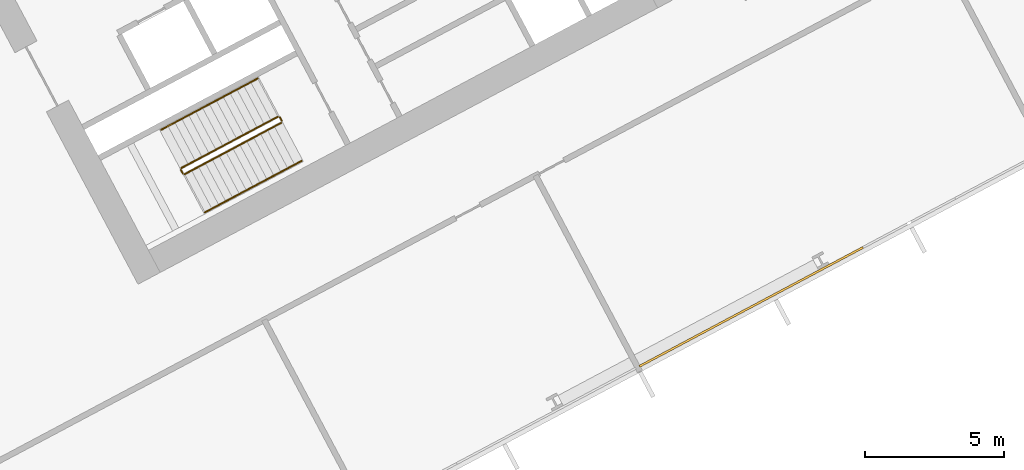
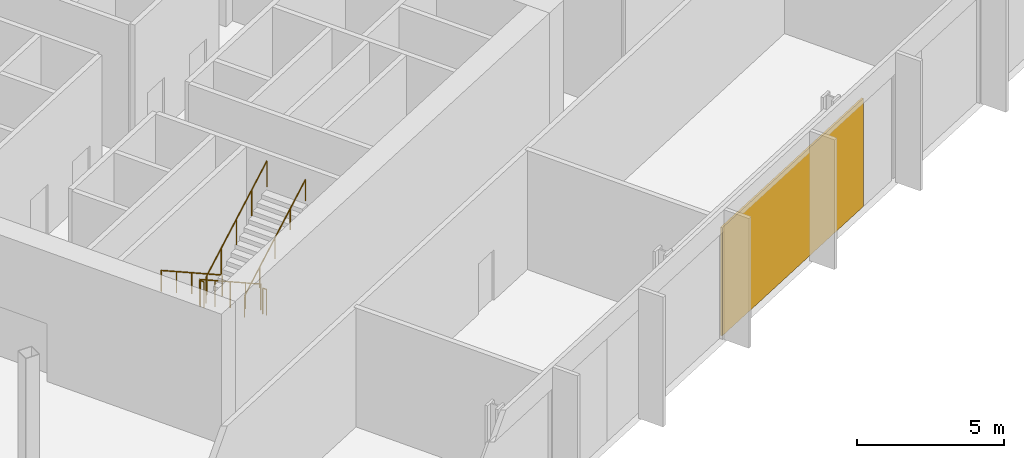
# One storey, part 27 of 31: 6 railings, 1 covering, 1 element without a shape of its own.
"""IFC4 building model written with IfcOpenShell, lengths in metres."""

import ifcopenshell
import ifcopenshell.guid

model = None  # the IFC model being written
_history = None  # IfcOwnerHistory: only IFC2X3 demands one
_inside = {}  # id of a spatial element -> (the spatial element, [elements in it])
_under = {}  # id of a project, library or spatial element -> (it, [spatial elements below it])
_declared = {}  # id of a project -> (the project, [libraries it declares])
_typed = {}  # id of a type object -> (the type object, [elements of that type])
_made_of = {}  # id of a material, layer set ... -> (it, [elements and type objects made of it])


def new_model(schema):
    """Start an empty IFC model of exactly this schema.

    Asked for "IFC4X3", IfcOpenShell would pick the latest addendum, in which some entities
    have other attributes; the version numbers below select the first issue.
    IFC2X3 requires an IfcOwnerHistory on every rooted entity: one is made here for all.
    """
    global model, _history
    if schema == "IFC4X3":
        model = ifcopenshell.file(schema_version=(4, 3, 0, 0))
    else:
        model = ifcopenshell.file(schema=schema)
    _inside.clear()
    _under.clear()
    _declared.clear()
    _typed.clear()
    _made_of.clear()
    _history = None
    if model.schema == "IFC2X3":
        org = make("IfcOrganization", Name="unknown")
        user = make(
            "IfcPersonAndOrganization",
            ThePerson=make("IfcPerson", FamilyName="unknown"),
            TheOrganization=org,
        )
        app = make(
            "IfcApplication",
            ApplicationDeveloper=org,
            Version="unknown",
            ApplicationFullName="unknown",
            ApplicationIdentifier="unknown",
        )
        _history = make(
            "IfcOwnerHistory",
            OwningUser=user,
            OwningApplication=app,
            ChangeAction="ADDED",
            CreationDate=0,
        )
    return model


def make(cls, **values):
    """One entity of the class cls with the attributes given. An attribute that is None is left unset."""
    return model.create_entity(
        cls, **{name: value for name, value in values.items() if value is not None}
    )


def rooted(cls, **values):
    """An entity with a GlobalId (a new one), such as an element, a storey or a relation."""
    return make(cls, GlobalId=ifcopenshell.guid.new(), OwnerHistory=_history, **values)


def si_unit(unit_type, name, prefix=None):
    """IfcSIUnit, for example si_unit("LENGTHUNIT", "METRE", prefix="MILLI")."""
    return make("IfcSIUnit", UnitType=unit_type, Prefix=prefix, Name=name)


def assignment(units):
    """IfcUnitAssignment: the units of a project."""
    return None if units is None else make("IfcUnitAssignment", Units=units)


def point(xyz):
    """IfcCartesianPoint."""
    return None if xyz is None else make("IfcCartesianPoint", Coordinates=xyz)


def direction(xyz):
    """IfcDirection."""
    return None if xyz is None else make("IfcDirection", DirectionRatios=xyz)


def frame(location, z_axis=None, x_axis=None):
    """IfcAxis2Placement3D, a coordinate frame: its origin and axes. An axis left out is left unset."""
    return make(
        "IfcAxis2Placement3D",
        Location=point(location),
        Axis=direction(z_axis),
        RefDirection=direction(x_axis),
    )


def frame_2d(location, x_axis=None):
    """IfcAxis2Placement2D, a coordinate frame in the plane: its origin and x axis."""
    return make(
        "IfcAxis2Placement2D", Location=point(location), RefDirection=direction(x_axis)
    )


def origin():
    """The frame at (0, 0, 0) with its axes left unset."""
    return frame((0.0, 0.0, 0.0))


def origin_2d():
    """The frame at (0, 0) in the plane with its x axis left unset."""
    return frame_2d((0.0, 0.0))


def place(relative_to, where):
    """IfcLocalPlacement: puts the frame where relative to a parent placement (None: the world)."""
    return make(
        "IfcLocalPlacement", PlacementRelTo=relative_to, RelativePlacement=where
    )


def context(
    kind, dimensions, precision=None, world=None, true_north=None, identifier=None
):
    """IfcGeometricRepresentationContext, for example the 3D "Model" context."""
    return make(
        "IfcGeometricRepresentationContext",
        ContextIdentifier=identifier,
        ContextType=kind,
        CoordinateSpaceDimension=dimensions,
        Precision=precision,
        WorldCoordinateSystem=world,
        TrueNorth=true_north,
    )


def subcontext(parent, identifier, kind, view, scale=None):
    """IfcGeometricRepresentationSubContext, for example "Body" below "Model"."""
    return make(
        "IfcGeometricRepresentationSubContext",
        ContextIdentifier=identifier,
        ContextType=kind,
        ParentContext=parent,
        TargetScale=scale,
        TargetView=view,
    )


def project(units=None, contexts=None):
    """IfcProject with its units and contexts."""
    return rooted(
        "IfcProject",
        Name="project",
        RepresentationContexts=contexts,
        UnitsInContext=assignment(units),
    )


def spatial(cls, under=None, at=None, **own):
    """A site, building, storey or space (cls), placed at a placement, below another one or the project."""
    s = rooted(cls, ObjectPlacement=at, **own)
    if under is not None:
        _under.setdefault(under.id(), (under, []))[1].append(s)
    return s


def polyline(points):
    """IfcPolyline through the points."""
    return make("IfcPolyline", Points=[point(p) for p in points])


def profile(cls, at=None, kind="AREA", **sizes):
    """A parametric profile (cls). Its sizes go by their IFC names, for example OverallWidth=200.0."""
    return make(cls, ProfileType=kind, Position=at, **sizes)


def rectangle(**sizes):
    """IfcRectangleProfileDef."""
    return profile("IfcRectangleProfileDef", **sizes)


def outline(outer, holes=None, kind="AREA"):
    """IfcArbitraryClosedProfileDef: a profile drawn as a closed curve; with holes, ...WithVoids."""
    if holes is None:
        return make("IfcArbitraryClosedProfileDef", ProfileType=kind, OuterCurve=outer)
    return make(
        "IfcArbitraryProfileDefWithVoids",
        ProfileType=kind,
        OuterCurve=outer,
        InnerCurves=holes,
    )


def extrude(swept, where, along, depth):
    """IfcExtrudedAreaSolid: the profile swept, set in the frame where, extruded along a direction by depth."""
    return make(
        "IfcExtrudedAreaSolid",
        SweptArea=swept,
        Position=where,
        ExtrudedDirection=direction(along),
        Depth=depth,
    )


def shape(context_of_items, identifier, shape_type, items):
    """IfcShapeRepresentation: the items that make up one representation, for example the "Body"."""
    return make(
        "IfcShapeRepresentation",
        ContextOfItems=context_of_items,
        RepresentationIdentifier=identifier,
        RepresentationType=shape_type,
        Items=items,
    )


def material(Name=None, Category=None):
    """IfcMaterial."""
    return make("IfcMaterial", Name=Name, Category=Category)


def layer(
    of_material, thickness, ventilated=None, Name=None, Category=None, Priority=None
):
    """IfcMaterialLayer: one layer of a wall or slab, of a material (None: an air gap)."""
    return make(
        "IfcMaterialLayer",
        Material=of_material,
        LayerThickness=thickness,
        IsVentilated=ventilated,
        Name=Name,
        Category=Category,
        Priority=Priority,
    )


def layer_set(layers, Name=None):
    """IfcMaterialLayerSet."""
    return make("IfcMaterialLayerSet", MaterialLayers=layers, LayerSetName=Name)


def made_of(thing, what):
    """Note that an element or type object is made of a material, layer set ...; save() writes the relation."""
    if what is not None:
        _made_of.setdefault(what.id(), (what, []))[1].append(thing)
    return thing


def type_object(cls, material=None, **own):
    """A type object (cls), such as IfcWallType, which elements share."""
    return made_of(rooted(cls, **own), material)


def element(
    cls,
    number,
    at=None,
    inside=None,
    cuts=None,
    type_object=None,
    material=None,
    context=None,
    identifier="Body",
    shape_type=None,
    held_by="IfcProductDefinitionShape",
    body=None,
    shapes=None,
    **own,
):
    """One element of the class cls, such as IfcWall. Its Tag is "e" and its number.

    at: its placement. inside: the storey or other place that contains it. cuts: it is an
    opening in that element (IfcRelVoidsElement). A single representation is given by context,
    identifier, shape_type and body (its items); several are given by shapes. held_by: the class
    of the entity that holds the representations. save() writes the other relations.
    """
    e = rooted(cls, Tag="e%d" % number, ObjectPlacement=at, **own)
    if body is not None:
        shapes = [shape(context, identifier, shape_type, body)]
    if shapes is not None:
        e.Representation = make(held_by, Representations=shapes)
    if inside is not None:
        _inside.setdefault(inside.id(), (inside, []))[1].append(e)
    if cuts is not None:
        rooted(
            "IfcRelVoidsElement", RelatingBuildingElement=cuts, RelatedOpeningElement=e
        )
    if type_object is not None:
        _typed.setdefault(type_object.id(), (type_object, []))[1].append(e)
    return made_of(e, material)


def aggregate(whole, parts):
    """IfcRelAggregates: a whole, such as a stair, and the parts it consists of."""
    return rooted("IfcRelAggregates", RelatingObject=whole, RelatedObjects=parts)


def save(model, path):
    """Write the relations noted so far, then the file.

    IfcRelAggregates (storeys below a building ...), IfcRelContainedInSpatialStructure (elements
    in a storey), IfcRelDefinesByType, IfcRelAssociatesMaterial and IfcRelDeclares: one each for
    every whole, place, type object, material and project.
    """
    for whole, parts in _under.values():
        aggregate(whole, parts)
    for where, things in _inside.values():
        rooted(
            "IfcRelContainedInSpatialStructure",
            RelatedElements=things,
            RelatingStructure=where,
        )
    for kind, things in _typed.values():
        rooted("IfcRelDefinesByType", RelatedObjects=things, RelatingType=kind)
    for what, things in _made_of.values():
        rooted("IfcRelAssociatesMaterial", RelatedObjects=things, RelatingMaterial=what)
    for by, libraries in _declared.values():
        rooted("IfcRelDeclares", RelatingContext=by, RelatedDefinitions=libraries)
    model.write(path)


model = new_model("IFC4")

# Units and contexts
model_context = context("Model", 3, precision=1e-05, world=origin(), true_north=direction((0.0, 1.0)))
body_context = subcontext(model_context, "Body", "Model", "MODEL_VIEW")
ifc_project = project(units=[si_unit("LENGTHUNIT", "METRE"), si_unit("AREAUNIT", "SQUARE_METRE"), si_unit("VOLUMEUNIT", "CUBIC_METRE"), si_unit("PLANEANGLEUNIT", "RADIAN"), si_unit("MASSUNIT", "GRAM", prefix="KILO")], contexts=[model_context])

# Site, building, storey
site_placement = place(None, origin())
site = spatial("IfcSite", under=ifc_project, at=site_placement, CompositionType="ELEMENT")
building_placement = place(site_placement, origin())
building = spatial("IfcBuilding", under=site, at=building_placement, Name="Cormorant Relay Tower", CompositionType="ELEMENT")
storey_placement = place(building_placement, frame((0.0, 0.0, 12.199951171875)))
storey = spatial("IfcBuildingStorey", under=building, at=storey_placement, Name="L02", CompositionType="ELEMENT", Elevation=12.199951171875)

# Curtain wall, covering
ifc_material_1 = material(Name="Aluminium 6063-T6 anodised bronze", Category="aluminium")
ifc_layer_1 = layer(ifc_material_1, 0.235107421875)
ifc_layer_set_1 = layer_set([ifc_layer_1], Name="CW6 data hall curtain wall with mineral wool panels")
curtain_wall_type = type_object("IfcCurtainWallType", Name="CW6 data hall curtain wall with mineral wool panels", PredefinedType="NOTDEFINED", material=ifc_layer_set_1)
curtain_wall_placement = place(storey_placement, origin())
curtain_wall = element("IfcCurtainWall", 1, at=curtain_wall_placement, inside=storey, type_object=curtain_wall_type, Name="CW6 curtain wall 2", PredefinedType="NOTDEFINED")
ifc_material_2 = material(Name="Mineral wool cored anodised bronze aluminium cassette panel", Category="aluminium")
ifc_layer_2 = layer(ifc_material_2, 0.074951171875)
ifc_layer_set_2 = layer_set([ifc_layer_2], Name="CW6 mineral wool cassette panel 75")
covering_type = type_object("IfcCoveringType", Name="CW6 mineral wool cassette panel 75", PredefinedType="CLADDING", material=ifc_layer_set_2)
covering_placement = place(storey_placement, frame((40.80517578125, -2.1298828125, 0.0), z_axis=(0.0, 0.0, 1.0), x_axis=(0.882947592859, 0.469471562786, 0.0)))
covering = element("IfcCovering", 2, at=covering_placement, type_object=covering_type, Name="CW6 panel S07", PredefinedType="CLADDING", context=body_context, shape_type="SweptSolid", body=[
    extrude(rectangle(XDim=9.07373046875, YDim=0.074951171875, at=origin_2d()), origin(), (0.0, 0.0, 1.0), 4.5),
])
aggregate(curtain_wall, [covering])

# Railings
ifc_material_3 = material(Name="Steel ASTM A572 Grade 50 (Fy 345 MPa)", Category="steel")
railing_type_1 = type_object("IfcRailingType", Name="Stair guard 1100", PredefinedType="GUARDRAIL", material=ifc_material_3)
railing_1_placement = place(storey_placement, frame((23.83837890625, 4.6904296875, 0.179931640625)))
element("IfcRailing", 3, at=railing_1_placement, inside=storey, type_object=railing_type_1, Name="L02 B1 stair guard 1", PredefinedType="GUARDRAIL", context=body_context, shape_type="SweptSolid", body=[
    extrude(outline(polyline([(0.022216796875, 0.00927734375), (0.00927734375, 0.022216796875), (-0.00927734375, 0.022216796875), (-0.022216796875, 0.00927734375), (-0.022216796875, -0.00927734375), (-0.00927734375, -0.022216796875), (0.00927734375, -0.022216796875), (0.022216796875, -0.00927734375), (0.022216796875, 0.00927734375)])), frame((0.0, 0.0, 1.076171875), z_axis=(-0.74271721126, -0.394907409077, 0.540758062681), x_axis=(0.469469396681, -0.882948744594, 0.0)), (0.0, 0.0, 1.0), 4.66015625),
    extrude(outline(polyline([(0.019287109375, 0.008056640625), (0.008056640625, 0.019287109375), (-0.008056640625, 0.019287109375), (-0.019287109375, 0.008056640625), (-0.019287109375, -0.008056640625), (-0.008056640625, -0.019287109375), (0.008056640625, -0.019287109375), (0.019287109375, -0.008056640625), (0.019287109375, 0.008056640625)])), origin(), (0.0, 0.0, 1.0), 1.052001953125),
    extrude(outline(polyline([(0.019287109375, 0.008056640625), (0.008056640625, 0.019287109375), (-0.008056640625, 0.019287109375), (-0.019287109375, 0.008056640625), (-0.019287109375, -0.008056640625), (-0.008056640625, -0.019287109375), (0.008056640625, -0.019287109375), (0.019287109375, -0.008056640625), (0.019287109375, 0.008056640625)])), frame((-0.865234375, -0.4599609375, 0.6298828125)), (0.0, 0.0, 1.0), 1.052001953125),
    extrude(outline(polyline([(0.019287109375, 0.008056640625), (0.008056640625, 0.019287109375), (-0.008056640625, 0.019287109375), (-0.019287109375, 0.008056640625), (-0.019287109375, -0.008056640625), (-0.008056640625, -0.019287109375), (0.008056640625, -0.019287109375), (0.019287109375, -0.008056640625), (0.019287109375, 0.008056640625)])), frame((-1.73046875, -0.920166015625, 1.260009765625)), (0.0, 0.0, 1.0), 1.052001953125),
    extrude(outline(polyline([(0.019287109375, 0.008056640625), (0.008056640625, 0.019287109375), (-0.008056640625, 0.019287109375), (-0.019287109375, 0.008056640625), (-0.019287109375, -0.008056640625), (-0.008056640625, -0.019287109375), (0.008056640625, -0.019287109375), (0.019287109375, -0.008056640625), (0.019287109375, 0.008056640625)])), frame((-2.595947265625, -1.38037109375, 1.89013671875)), (0.0, 0.0, 1.0), 1.052001953125),
    extrude(outline(polyline([(0.019287109375, 0.008056640625), (0.008056640625, 0.019287109375), (-0.008056640625, 0.019287109375), (-0.019287109375, 0.008056640625), (-0.019287109375, -0.008056640625), (-0.008056640625, -0.019287109375), (0.008056640625, -0.019287109375), (0.019287109375, -0.008056640625), (0.019287109375, 0.008056640625)])), frame((-3.461181640625, -1.84033203125, 2.52001953125)), (0.0, 0.0, 1.0), 1.052001953125),
])
railing_2_placement = place(storey_placement, frame((20.3564453125, 2.782470703125, 2.699951171875)))
element("IfcRailing", 4, at=railing_2_placement, inside=storey, type_object=railing_type_1, Name="L02 B1 stair guard 2", PredefinedType="GUARDRAIL", context=body_context, shape_type="SweptSolid", body=[
    extrude(outline(polyline([(0.022216796875, 0.00927734375), (0.00927734375, 0.022216796875), (-0.00927734375, 0.022216796875), (-0.022216796875, 0.00927734375), (-0.022216796875, -0.00927734375), (-0.00927734375, -0.022216796875), (0.00927734375, -0.022216796875), (0.022216796875, -0.00927734375), (0.022216796875, 0.00927734375)])), frame((0.0, 0.0, 1.076171875), z_axis=(0.470503732759, -0.882398003998, 0.0), x_axis=(0.882398003998, 0.470503732759, 0.0)), (0.0, 0.0, 1.0), 0.14990234375),
    extrude(outline(polyline([(0.019287109375, 0.008056640625), (0.008056640625, 0.019287109375), (-0.008056640625, 0.019287109375), (-0.019287109375, 0.008056640625), (-0.019287109375, -0.008056640625), (-0.008056640625, -0.019287109375), (0.008056640625, -0.019287109375), (0.019287109375, -0.008056640625), (0.019287109375, 0.008056640625)])), origin(), (0.0, 0.0, 1.0), 1.052001953125),
    extrude(outline(polyline([(0.019287109375, 0.008056640625), (0.008056640625, 0.019287109375), (-0.008056640625, 0.019287109375), (-0.019287109375, 0.008056640625), (-0.019287109375, -0.008056640625), (-0.008056640625, -0.019287109375), (0.008056640625, -0.019287109375), (0.019287109375, -0.008056640625), (0.019287109375, 0.008056640625)])), frame((0.070556640625, -0.13232421875, 0.0)), (0.0, 0.0, 1.0), 1.052001953125),
])
railing_3_placement = place(storey_placement, frame((20.49462890625, 2.62939453125, 2.880126953125)))
element("IfcRailing", 5, at=railing_3_placement, inside=storey, type_object=railing_type_1, Name="L02 B1 stair guard 3", PredefinedType="GUARDRAIL", context=body_context, shape_type="SweptSolid", body=[
    extrude(outline(polyline([(0.022216796875, 0.00927734375), (0.00927734375, 0.022216796875), (-0.00927734375, 0.022216796875), (-0.022216796875, 0.00927734375), (-0.022216796875, -0.00927734375), (-0.00927734375, -0.022216796875), (0.00927734375, -0.022216796875), (0.022216796875, -0.00927734375), (0.022216796875, 0.00927734375)])), frame((0.0, 0.0, 1.076171875), z_axis=(0.742693720225, 0.394922775329, 0.540779104131), x_axis=(-0.469495214196, 0.882935016775, 0.0)), (0.0, 0.0, 1.0), 4.659912109375),
    extrude(outline(polyline([(0.019287109375, 0.008056640625), (0.008056640625, 0.019287109375), (-0.008056640625, 0.019287109375), (-0.019287109375, 0.008056640625), (-0.019287109375, -0.008056640625), (-0.008056640625, -0.019287109375), (0.008056640625, -0.019287109375), (0.019287109375, -0.008056640625), (0.019287109375, 0.008056640625)])), origin(), (0.0, 0.0, 1.0), 1.052001953125),
    extrude(outline(polyline([(0.019287109375, 0.008056640625), (0.008056640625, 0.019287109375), (-0.008056640625, 0.019287109375), (-0.019287109375, 0.008056640625), (-0.019287109375, -0.008056640625), (-0.008056640625, -0.019287109375), (0.008056640625, -0.019287109375), (0.019287109375, -0.008056640625), (0.019287109375, 0.008056640625)])), frame((0.865234375, 0.4599609375, 0.6298828125)), (0.0, 0.0, 1.0), 1.052001953125),
    extrude(outline(polyline([(0.019287109375, 0.008056640625), (0.008056640625, 0.019287109375), (-0.008056640625, 0.019287109375), (-0.019287109375, 0.008056640625), (-0.019287109375, -0.008056640625), (-0.008056640625, -0.019287109375), (0.008056640625, -0.019287109375), (0.019287109375, -0.008056640625), (0.019287109375, 0.008056640625)])), frame((1.73046875, 0.920166015625, 1.260009765625)), (0.0, 0.0, 1.0), 1.052001953125),
    extrude(outline(polyline([(0.019287109375, 0.008056640625), (0.008056640625, 0.019287109375), (-0.008056640625, 0.019287109375), (-0.019287109375, 0.008056640625), (-0.019287109375, -0.008056640625), (-0.008056640625, -0.019287109375), (0.008056640625, -0.019287109375), (0.019287109375, -0.008056640625), (0.019287109375, 0.008056640625)])), frame((2.595703125, 1.38037109375, 1.89013671875)), (0.0, 0.0, 1.0), 1.052001953125),
    extrude(outline(polyline([(0.019287109375, 0.008056640625), (0.008056640625, 0.019287109375), (-0.008056640625, 0.019287109375), (-0.019287109375, 0.008056640625), (-0.019287109375, -0.008056640625), (-0.008056640625, -0.019287109375), (0.008056640625, -0.019287109375), (0.019287109375, -0.008056640625), (0.019287109375, 0.008056640625)])), frame((3.4609375, 1.84033203125, 2.52001953125)), (0.0, 0.0, 1.0), 1.052001953125),
])
railing_4_placement = place(storey_placement, frame((23.906005859375, 4.669677734375, 0.0)))
element("IfcRailing", 6, at=railing_4_placement, inside=storey, type_object=railing_type_1, Name="L02 B1 stair guard 4", PredefinedType="GUARDRAIL", context=body_context, shape_type="SweptSolid", body=[
    extrude(outline(polyline([(0.022216796875, 0.00927734375), (0.00927734375, 0.022216796875), (-0.00927734375, 0.022216796875), (-0.022216796875, 0.00927734375), (-0.022216796875, -0.00927734375), (-0.00927734375, -0.022216796875), (0.00927734375, -0.022216796875), (0.022216796875, -0.00927734375), (0.022216796875, 0.00927734375)])), frame((0.0, 0.0, 1.076171875), z_axis=(0.469234640946, -0.883073525669, 0.0), x_axis=(0.883073525669, 0.469234640946, 0.0)), (0.0, 0.0, 1.0), 0.14990234375),
    extrude(outline(polyline([(0.019287109375, 0.008056640625), (0.008056640625, 0.019287109375), (-0.008056640625, 0.019287109375), (-0.019287109375, 0.008056640625), (-0.019287109375, -0.008056640625), (-0.008056640625, -0.019287109375), (0.008056640625, -0.019287109375), (0.019287109375, -0.008056640625), (0.019287109375, 0.008056640625)])), origin(), (0.0, 0.0, 1.0), 1.052001953125),
    extrude(outline(polyline([(0.019287109375, 0.008056640625), (0.008056640625, 0.019287109375), (-0.008056640625, 0.019287109375), (-0.019287109375, 0.008056640625), (-0.019287109375, -0.008056640625), (-0.008056640625, -0.019287109375), (0.008056640625, -0.019287109375), (0.019287109375, -0.008056640625), (0.019287109375, 0.008056640625)])), frame((0.0703125, -0.13232421875, 0.0)), (0.0, 0.0, 1.0), 1.052001953125),
])
ifc_material_4 = material(Name="Steel ASTM A572 Grade 50 (Fy 345 MPa)", Category="steel")
railing_type_2 = type_object("IfcRailingType", Name="Stair handrail 900", PredefinedType="HANDRAIL", material=ifc_material_4)
railing_5_placement = place(storey_placement, frame((23.110595703125, 6.05908203125, 0.179931640625)))
element("IfcRailing", 7, at=railing_5_placement, inside=storey, type_object=railing_type_2, Name="L02 B1 stair handrail 1", PredefinedType="HANDRAIL", context=body_context, shape_type="SweptSolid", body=[
    extrude(outline(polyline([(0.022216796875, 0.00927734375), (0.00927734375, 0.022216796875), (-0.00927734375, 0.022216796875), (-0.022216796875, 0.00927734375), (-0.022216796875, -0.00927734375), (-0.00927734375, -0.022216796875), (0.00927734375, -0.022216796875), (0.022216796875, -0.00927734375), (0.022216796875, 0.00927734375)])), frame((0.0, 0.0, 0.8759765625), z_axis=(-0.74271721126, -0.394907409077, 0.540758062681), x_axis=(0.469469396681, -0.882948744594, 0.0)), (0.0, 0.0, 1.0), 4.66015625),
    extrude(outline(polyline([(0.019287109375, 0.008056640625), (0.008056640625, 0.019287109375), (-0.008056640625, 0.019287109375), (-0.019287109375, 0.008056640625), (-0.019287109375, -0.008056640625), (-0.008056640625, -0.019287109375), (0.008056640625, -0.019287109375), (0.019287109375, -0.008056640625), (0.019287109375, 0.008056640625)])), origin(), (0.0, 0.0, 1.0), 0.851806640625),
    extrude(outline(polyline([(0.019287109375, 0.008056640625), (0.008056640625, 0.019287109375), (-0.008056640625, 0.019287109375), (-0.019287109375, 0.008056640625), (-0.019287109375, -0.008056640625), (-0.008056640625, -0.019287109375), (0.008056640625, -0.019287109375), (0.019287109375, -0.008056640625), (0.019287109375, 0.008056640625)])), frame((-0.865234375, -0.4599609375, 0.6298828125)), (0.0, 0.0, 1.0), 0.851806640625),
    extrude(outline(polyline([(0.019287109375, 0.008056640625), (0.008056640625, 0.019287109375), (-0.008056640625, 0.019287109375), (-0.019287109375, 0.008056640625), (-0.019287109375, -0.008056640625), (-0.008056640625, -0.019287109375), (0.008056640625, -0.019287109375), (0.019287109375, -0.008056640625), (0.019287109375, 0.008056640625)])), frame((-1.73046875, -0.920166015625, 1.260009765625)), (0.0, 0.0, 1.0), 0.851806640625),
    extrude(outline(polyline([(0.019287109375, 0.008056640625), (0.008056640625, 0.019287109375), (-0.008056640625, 0.019287109375), (-0.019287109375, 0.008056640625), (-0.019287109375, -0.008056640625), (-0.008056640625, -0.019287109375), (0.008056640625, -0.019287109375), (0.019287109375, -0.008056640625), (0.019287109375, 0.008056640625)])), frame((-2.595947265625, -1.38037109375, 1.89013671875)), (0.0, 0.0, 1.0), 0.851806640625),
    extrude(outline(polyline([(0.019287109375, 0.008056640625), (0.008056640625, 0.019287109375), (-0.008056640625, 0.019287109375), (-0.019287109375, 0.008056640625), (-0.019287109375, -0.008056640625), (-0.008056640625, -0.019287109375), (0.008056640625, -0.019287109375), (0.019287109375, -0.008056640625), (0.019287109375, 0.008056640625)])), frame((-3.461181640625, -1.84033203125, 2.52001953125)), (0.0, 0.0, 1.0), 0.851806640625),
])
railing_6_placement = place(storey_placement, frame((21.22216796875, 1.2607421875, 2.880126953125)))
element("IfcRailing", 8, at=railing_6_placement, inside=storey, type_object=railing_type_2, Name="L02 B1 stair handrail 2", PredefinedType="HANDRAIL", context=body_context, shape_type="SweptSolid", body=[
    extrude(outline(polyline([(0.022216796875, 0.00927734375), (0.00927734375, 0.022216796875), (-0.00927734375, 0.022216796875), (-0.022216796875, 0.00927734375), (-0.022216796875, -0.00927734375), (-0.00927734375, -0.022216796875), (0.00927734375, -0.022216796875), (0.022216796875, -0.00927734375), (0.022216796875, 0.00927734375)])), frame((0.0, 0.0, 0.8759765625), z_axis=(0.74271721126, 0.394907409077, 0.540758062681), x_axis=(-0.469469396681, 0.882948744594, 0.0)), (0.0, 0.0, 1.0), 4.66015625),
    extrude(outline(polyline([(0.019287109375, 0.008056640625), (0.008056640625, 0.019287109375), (-0.008056640625, 0.019287109375), (-0.019287109375, 0.008056640625), (-0.019287109375, -0.008056640625), (-0.008056640625, -0.019287109375), (0.008056640625, -0.019287109375), (0.019287109375, -0.008056640625), (0.019287109375, 0.008056640625)])), origin(), (0.0, 0.0, 1.0), 0.851806640625),
    extrude(outline(polyline([(0.019287109375, 0.008056640625), (0.008056640625, 0.019287109375), (-0.008056640625, 0.019287109375), (-0.019287109375, 0.008056640625), (-0.019287109375, -0.008056640625), (-0.008056640625, -0.019287109375), (0.008056640625, -0.019287109375), (0.019287109375, -0.008056640625), (0.019287109375, 0.008056640625)])), frame((0.865234375, 0.4599609375, 0.6298828125)), (0.0, 0.0, 1.0), 0.851806640625),
    extrude(outline(polyline([(0.019287109375, 0.008056640625), (0.008056640625, 0.019287109375), (-0.008056640625, 0.019287109375), (-0.019287109375, 0.008056640625), (-0.019287109375, -0.008056640625), (-0.008056640625, -0.019287109375), (0.008056640625, -0.019287109375), (0.019287109375, -0.008056640625), (0.019287109375, 0.008056640625)])), frame((1.73046875, 0.920166015625, 1.260009765625)), (0.0, 0.0, 1.0), 0.851806640625),
    extrude(outline(polyline([(0.019287109375, 0.008056640625), (0.008056640625, 0.019287109375), (-0.008056640625, 0.019287109375), (-0.019287109375, 0.008056640625), (-0.019287109375, -0.008056640625), (-0.008056640625, -0.019287109375), (0.008056640625, -0.019287109375), (0.019287109375, -0.008056640625), (0.019287109375, 0.008056640625)])), frame((2.595947265625, 1.38037109375, 1.89013671875)), (0.0, 0.0, 1.0), 0.851806640625),
    extrude(outline(polyline([(0.019287109375, 0.008056640625), (0.008056640625, 0.019287109375), (-0.008056640625, 0.019287109375), (-0.019287109375, 0.008056640625), (-0.019287109375, -0.008056640625), (-0.008056640625, -0.019287109375), (0.008056640625, -0.019287109375), (0.019287109375, -0.008056640625), (0.019287109375, 0.008056640625)])), frame((3.461181640625, 1.84033203125, 2.52001953125)), (0.0, 0.0, 1.0), 0.851806640625),
])

save(model, "model.ifc")
